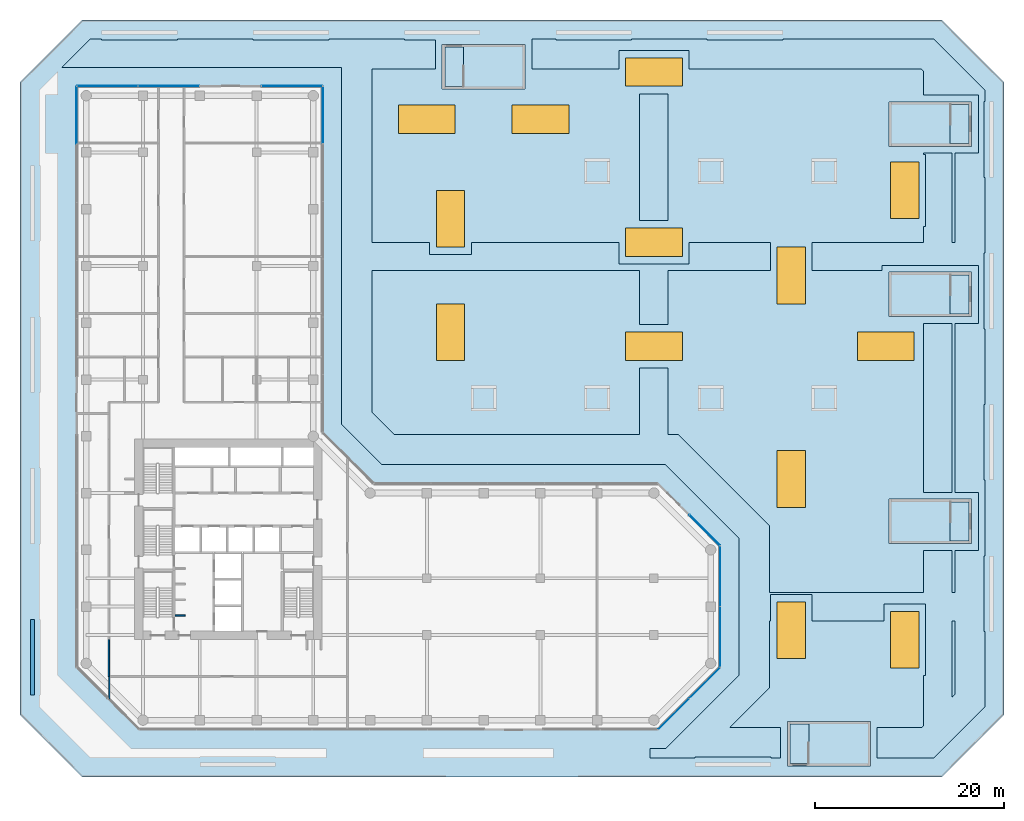
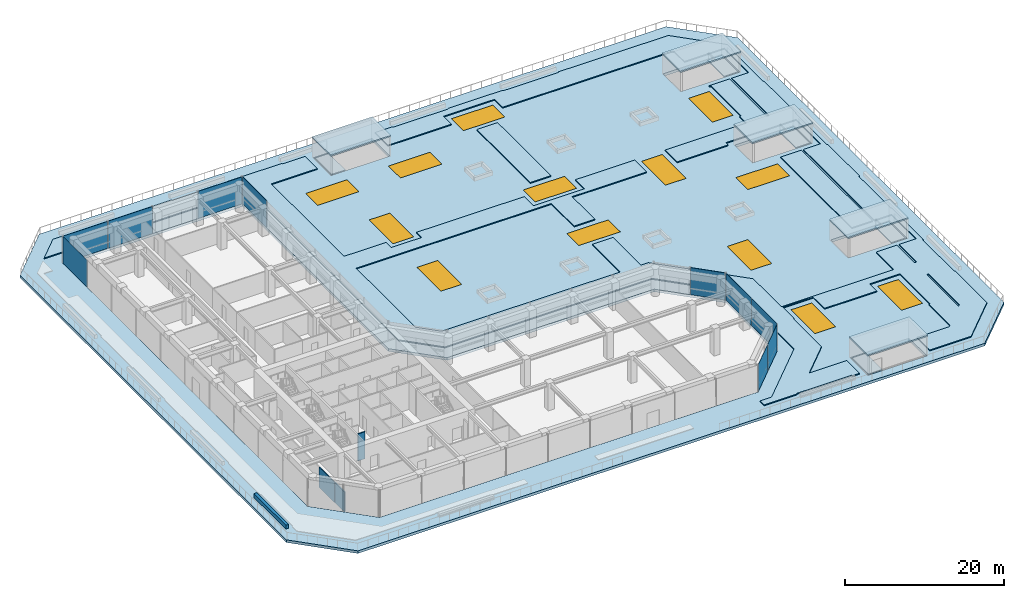
# One storey, part 23 of 31: 14 slabs, 13 windows, 10 plates, 4 walls, 13 openings, 7 elements without a shape of their own.
"""IFC4 building model written with IfcOpenShell, lengths in metres."""

from ifc_helpers import new_model, si_unit, direction, frame, frame_2d, origin, origin_2d, place, context, subcontext, project, spatial, polyline, rectangle, outline, extrude, material, layer, layer_set, type_object, element, fill, aggregate, save


model = new_model("IFC4")

# Units and contexts
model_context = context("Model", 3, precision=1e-05, world=origin(), true_north=direction((0.0, 1.0)))
body_context = subcontext(model_context, "Body", "Model", "MODEL_VIEW")
ifc_project = project(units=[si_unit("LENGTHUNIT", "METRE"), si_unit("AREAUNIT", "SQUARE_METRE"), si_unit("VOLUMEUNIT", "CUBIC_METRE"), si_unit("PLANEANGLEUNIT", "RADIAN"), si_unit("MASSUNIT", "GRAM", prefix="KILO")], contexts=[model_context])

# Site, building, storey
site_placement = place(None, origin())
site = spatial("IfcSite", under=ifc_project, at=site_placement, CompositionType="ELEMENT")
building_placement = place(site_placement, origin())
building = spatial("IfcBuilding", under=site, at=building_placement, Name="Welwitschia Terrace Campus", CompositionType="ELEMENT")
storey_placement = place(building_placement, frame((0.0, 0.0, 11.0)))
storey = spatial("IfcBuildingStorey", under=building, at=storey_placement, Name="L02", CompositionType="ELEMENT", Elevation=11.0)

# Slab, openings, windows
ifc_material_1 = material(Name="Concrete C40/50", Category="concrete")
ifc_layer_1 = layer(ifc_material_1, 0.39990234375)
ifc_layer_set_1 = layer_set([ifc_layer_1], Name="Concrete C40/50")
slab_type_1 = type_object("IfcSlabType", Name="Garden deck slab 400", PredefinedType="FLOOR", material=ifc_layer_set_1)
slab_1_placement = place(storey_placement, frame((0.0, 0.0, -0.39990234375)))
slab_1 = element("IfcSlab", 1, at=slab_1_placement, inside=storey, type_object=slab_type_1, Name="Garden deck slab", PredefinedType="FLOOR", context=body_context, shape_type="SweptSolid", body=[
    extrude(outline(polyline([(-7.0, 63.414306640625), (-0.414306640625, 70.0), (90.414306640625, 70.0), (97.0, 63.414306640625), (97.0, -3.414306640625), (90.414306640625, -10.0), (-0.414306640625, -10.0), (-7.0, -3.414306640625), (-7.0, 63.414306640625)]), holes=[polyline([(60.414306640625, -5.0), (67.0, 1.585693359375), (67.0, 14.414306640625), (60.414306640625, 21.0), (30.414306640625, 21.0), (25.0, 26.414306640625), (25.0, 63.0), (-1.0, 63.0), (-1.0, 1.585693359375), (5.585693359375, -5.0), (60.414306640625, -5.0)]), polyline([(74.25, -4.27490234375), (74.25, -8.72509765625), (82.75, -8.72509765625), (82.75, -4.27490234375), (74.25, -4.27490234375)]), polyline([(84.949951171875, 19.22509765625), (84.949951171875, 14.77490234375), (93.449951171875, 14.77490234375), (93.449951171875, 19.22509765625), (84.949951171875, 19.22509765625)]), polyline([(84.949951171875, 43.22509765625), (84.949951171875, 38.77490234375), (93.449951171875, 38.77490234375), (93.449951171875, 43.22509765625), (84.949951171875, 43.22509765625)]), polyline([(93.449951171875, 61.22509765625), (84.949951171875, 61.22509765625), (84.949951171875, 56.77490234375), (93.449951171875, 56.77490234375), (93.449951171875, 61.22509765625)]), polyline([(46.25, 67.27490234375), (37.75, 67.27490234375), (37.75, 62.824951171875), (46.25, 62.824951171875), (46.25, 67.27490234375)])]), origin(), (0.0, 0.0, 1.0), 0.39990234375),
])
opening_1_placement = place(slab_1_placement, frame((86.5, 4.5, 0.0)))
opening_1 = element("IfcOpeningElement", 2, at=opening_1_placement, cuts=slab_1, Name="Opening SK1", PredefinedType="OPENING", context=body_context, shape_type="SweptSolid", body=[
    extrude(rectangle(XDim=3.0, YDim=6.0, at=origin_2d()), frame((0.0, 0.0, -0.010009765625)), (0.0, 0.0, 1.0), 0.419921875),
])
opening_2_placement = place(slab_1_placement, frame((74.5, 5.5, 0.0)))
opening_2 = element("IfcOpeningElement", 3, at=opening_2_placement, cuts=slab_1, Name="Opening SK1", PredefinedType="OPENING", context=body_context, shape_type="SweptSolid", body=[
    extrude(rectangle(XDim=3.0, YDim=6.0, at=origin_2d()), frame((0.0, 0.0, -0.010009765625)), (0.0, 0.0, 1.0), 0.419921875),
])
opening_3_placement = place(slab_1_placement, frame((74.5, 21.5, 0.0)))
opening_3 = element("IfcOpeningElement", 4, at=opening_3_placement, cuts=slab_1, Name="Opening SK1", PredefinedType="OPENING", context=body_context, shape_type="SweptSolid", body=[
    extrude(rectangle(XDim=3.0, YDim=6.0, at=origin_2d()), frame((0.0, 0.0, -0.010009765625)), (0.0, 0.0, 1.0), 0.419921875),
])
opening_4_placement = place(slab_1_placement, frame((60.0, 35.5, 0.0)))
opening_4 = element("IfcOpeningElement", 5, at=opening_4_placement, cuts=slab_1, Name="Opening SK1", PredefinedType="OPENING", context=body_context, shape_type="SweptSolid", body=[
    extrude(rectangle(XDim=6.0, YDim=3.0, at=origin_2d()), frame((0.0, 0.0, -0.010009765625)), (0.0, 0.0, 1.0), 0.419921875),
])
opening_5_placement = place(slab_1_placement, frame((84.5, 35.5, 0.0)))
opening_5 = element("IfcOpeningElement", 6, at=opening_5_placement, cuts=slab_1, Name="Opening SK1", PredefinedType="OPENING", context=body_context, shape_type="SweptSolid", body=[
    extrude(rectangle(XDim=6.0, YDim=3.0, at=origin_2d()), frame((0.0, 0.0, -0.010009765625)), (0.0, 0.0, 1.0), 0.419921875),
])
opening_6_placement = place(slab_1_placement, frame((38.5, 37.0, 0.0)))
opening_6 = element("IfcOpeningElement", 7, at=opening_6_placement, cuts=slab_1, Name="Opening SK1", PredefinedType="OPENING", context=body_context, shape_type="SweptSolid", body=[
    extrude(rectangle(XDim=3.0, YDim=6.0, at=origin_2d()), frame((0.0, 0.0, -0.010009765625)), (0.0, 0.0, 1.0), 0.419921875),
])
opening_7_placement = place(slab_1_placement, frame((74.5, 43.0, 0.0)))
opening_7 = element("IfcOpeningElement", 8, at=opening_7_placement, cuts=slab_1, Name="Opening SK1", PredefinedType="OPENING", context=body_context, shape_type="SweptSolid", body=[
    extrude(rectangle(XDim=3.0, YDim=6.0, at=origin_2d()), frame((0.0, 0.0, -0.010009765625)), (0.0, 0.0, 1.0), 0.419921875),
])
opening_8_placement = place(slab_1_placement, frame((60.0, 46.5, 0.0)))
opening_8 = element("IfcOpeningElement", 9, at=opening_8_placement, cuts=slab_1, Name="Opening SK1", PredefinedType="OPENING", context=body_context, shape_type="SweptSolid", body=[
    extrude(rectangle(XDim=6.0, YDim=3.0, at=origin_2d()), frame((0.0, 0.0, -0.010009765625)), (0.0, 0.0, 1.0), 0.419921875),
])
opening_9_placement = place(slab_1_placement, frame((38.5, 49.0, 0.0)))
opening_9 = element("IfcOpeningElement", 10, at=opening_9_placement, cuts=slab_1, Name="Opening SK1", PredefinedType="OPENING", context=body_context, shape_type="SweptSolid", body=[
    extrude(rectangle(XDim=3.0, YDim=6.0, at=origin_2d()), frame((0.0, 0.0, -0.010009765625)), (0.0, 0.0, 1.0), 0.419921875),
])
opening_10_placement = place(slab_1_placement, frame((86.5, 52.0, 0.0)))
opening_10 = element("IfcOpeningElement", 11, at=opening_10_placement, cuts=slab_1, Name="Opening SK1", PredefinedType="OPENING", context=body_context, shape_type="SweptSolid", body=[
    extrude(rectangle(XDim=3.0, YDim=6.0, at=origin_2d()), frame((0.0, 0.0, -0.010009765625)), (0.0, 0.0, 1.0), 0.419921875),
])
opening_11_placement = place(slab_1_placement, frame((36.0, 59.5, 0.0)))
opening_11 = element("IfcOpeningElement", 12, at=opening_11_placement, cuts=slab_1, Name="Opening SK1", PredefinedType="OPENING", context=body_context, shape_type="SweptSolid", body=[
    extrude(rectangle(XDim=6.0, YDim=3.0, at=origin_2d()), frame((0.0, 0.0, -0.010009765625)), (0.0, 0.0, 1.0), 0.419921875),
])
opening_12_placement = place(slab_1_placement, frame((48.0, 59.5, 0.0)))
opening_12 = element("IfcOpeningElement", 13, at=opening_12_placement, cuts=slab_1, Name="Opening SK1", PredefinedType="OPENING", context=body_context, shape_type="SweptSolid", body=[
    extrude(rectangle(XDim=6.0, YDim=3.0, at=origin_2d()), frame((0.0, 0.0, -0.010009765625)), (0.0, 0.0, 1.0), 0.419921875),
])
opening_13_placement = place(slab_1_placement, frame((60.0, 64.5, 0.0)))
opening_13 = element("IfcOpeningElement", 14, at=opening_13_placement, cuts=slab_1, Name="Opening SK1", PredefinedType="OPENING", context=body_context, shape_type="SweptSolid", body=[
    extrude(rectangle(XDim=6.0, YDim=3.0, at=origin_2d()), frame((0.0, 0.0, -0.010009765625)), (0.0, 0.0, 1.0), 0.419921875),
])
ifc_material_2 = material(Name="Tinted bronze-grey glass", Category="glass")
window_type = type_object("IfcWindowType", Name="Rooflight 3000x6000", PartitioningType="SINGLE_PANEL", PredefinedType="SKYLIGHT", material=ifc_material_2)
window_1_placement = place(opening_1_placement, frame((0.0, 0.0, 0.349853515625)))
window_1 = element("IfcWindow", 15, at=window_1_placement, inside=storey, type_object=window_type, Name="Rooflight 1", OverallHeight=6.0, OverallWidth=3.0, PartitioningType="SINGLE_PANEL", PredefinedType="SKYLIGHT", context=body_context, shape_type="SweptSolid", body=[
    extrude(rectangle(XDim=3.0, YDim=6.0, at=origin_2d()), origin(), (0.0, 0.0, 1.0), 0.050048828125),
])
fill(opening_1, window_1)
window_2_placement = place(opening_2_placement, frame((0.0, 0.0, 0.349853515625)))
window_2 = element("IfcWindow", 16, at=window_2_placement, inside=storey, type_object=window_type, Name="Rooflight 2", OverallHeight=6.0, OverallWidth=3.0, PartitioningType="SINGLE_PANEL", PredefinedType="SKYLIGHT", context=body_context, shape_type="SweptSolid", body=[
    extrude(rectangle(XDim=3.0, YDim=6.0, at=origin_2d()), origin(), (0.0, 0.0, 1.0), 0.050048828125),
])
fill(opening_2, window_2)
window_3_placement = place(opening_3_placement, frame((0.0, 0.0, 0.349853515625)))
window_3 = element("IfcWindow", 17, at=window_3_placement, inside=storey, type_object=window_type, Name="Rooflight 3", OverallHeight=6.0, OverallWidth=3.0, PartitioningType="SINGLE_PANEL", PredefinedType="SKYLIGHT", context=body_context, shape_type="SweptSolid", body=[
    extrude(rectangle(XDim=3.0, YDim=6.0, at=origin_2d()), origin(), (0.0, 0.0, 1.0), 0.050048828125),
])
fill(opening_3, window_3)
window_4_placement = place(opening_4_placement, frame((0.0, 0.0, 0.349853515625)))
window_4 = element("IfcWindow", 18, at=window_4_placement, inside=storey, type_object=window_type, Name="Rooflight 4", OverallHeight=3.0, OverallWidth=6.0, PartitioningType="SINGLE_PANEL", PredefinedType="SKYLIGHT", context=body_context, shape_type="SweptSolid", body=[
    extrude(rectangle(XDim=6.0, YDim=3.0, at=origin_2d()), origin(), (0.0, 0.0, 1.0), 0.050048828125),
])
fill(opening_4, window_4)
window_5_placement = place(opening_5_placement, frame((0.0, 0.0, 0.349853515625)))
window_5 = element("IfcWindow", 19, at=window_5_placement, inside=storey, type_object=window_type, Name="Rooflight 5", OverallHeight=3.0, OverallWidth=6.0, PartitioningType="SINGLE_PANEL", PredefinedType="SKYLIGHT", context=body_context, shape_type="SweptSolid", body=[
    extrude(rectangle(XDim=6.0, YDim=3.0, at=origin_2d()), origin(), (0.0, 0.0, 1.0), 0.050048828125),
])
fill(opening_5, window_5)
window_6_placement = place(opening_6_placement, frame((0.0, 0.0, 0.349853515625)))
window_6 = element("IfcWindow", 20, at=window_6_placement, inside=storey, type_object=window_type, Name="Rooflight 6", OverallHeight=6.0, OverallWidth=3.0, PartitioningType="SINGLE_PANEL", PredefinedType="SKYLIGHT", context=body_context, shape_type="SweptSolid", body=[
    extrude(rectangle(XDim=3.0, YDim=6.0, at=origin_2d()), origin(), (0.0, 0.0, 1.0), 0.050048828125),
])
fill(opening_6, window_6)
window_7_placement = place(opening_7_placement, frame((0.0, 0.0, 0.349853515625)))
window_7 = element("IfcWindow", 21, at=window_7_placement, inside=storey, type_object=window_type, Name="Rooflight 7", OverallHeight=6.0, OverallWidth=3.0, PartitioningType="SINGLE_PANEL", PredefinedType="SKYLIGHT", context=body_context, shape_type="SweptSolid", body=[
    extrude(rectangle(XDim=3.0, YDim=6.0, at=origin_2d()), origin(), (0.0, 0.0, 1.0), 0.050048828125),
])
fill(opening_7, window_7)
window_8_placement = place(opening_8_placement, frame((0.0, 0.0, 0.349853515625)))
window_8 = element("IfcWindow", 22, at=window_8_placement, inside=storey, type_object=window_type, Name="Rooflight 8", OverallHeight=3.0, OverallWidth=6.0, PartitioningType="SINGLE_PANEL", PredefinedType="SKYLIGHT", context=body_context, shape_type="SweptSolid", body=[
    extrude(rectangle(XDim=6.0, YDim=3.0, at=origin_2d()), origin(), (0.0, 0.0, 1.0), 0.050048828125),
])
fill(opening_8, window_8)
window_9_placement = place(opening_9_placement, frame((0.0, 0.0, 0.349853515625)))
window_9 = element("IfcWindow", 23, at=window_9_placement, inside=storey, type_object=window_type, Name="Rooflight 9", OverallHeight=6.0, OverallWidth=3.0, PartitioningType="SINGLE_PANEL", PredefinedType="SKYLIGHT", context=body_context, shape_type="SweptSolid", body=[
    extrude(rectangle(XDim=3.0, YDim=6.0, at=origin_2d()), origin(), (0.0, 0.0, 1.0), 0.050048828125),
])
fill(opening_9, window_9)
window_10_placement = place(opening_10_placement, frame((0.0, 0.0, 0.349853515625)))
window_10 = element("IfcWindow", 24, at=window_10_placement, inside=storey, type_object=window_type, Name="Rooflight 10", OverallHeight=6.0, OverallWidth=3.0, PartitioningType="SINGLE_PANEL", PredefinedType="SKYLIGHT", context=body_context, shape_type="SweptSolid", body=[
    extrude(rectangle(XDim=3.0, YDim=6.0, at=origin_2d()), origin(), (0.0, 0.0, 1.0), 0.050048828125),
])
fill(opening_10, window_10)
window_11_placement = place(opening_11_placement, frame((0.0, 0.0, 0.349853515625)))
window_11 = element("IfcWindow", 25, at=window_11_placement, inside=storey, type_object=window_type, Name="Rooflight 11", OverallHeight=3.0, OverallWidth=6.0, PartitioningType="SINGLE_PANEL", PredefinedType="SKYLIGHT", context=body_context, shape_type="SweptSolid", body=[
    extrude(rectangle(XDim=6.0, YDim=3.0, at=origin_2d()), origin(), (0.0, 0.0, 1.0), 0.050048828125),
])
fill(opening_11, window_11)
window_12_placement = place(opening_12_placement, frame((0.0, 0.0, 0.349853515625)))
window_12 = element("IfcWindow", 26, at=window_12_placement, inside=storey, type_object=window_type, Name="Rooflight 12", OverallHeight=3.0, OverallWidth=6.0, PartitioningType="SINGLE_PANEL", PredefinedType="SKYLIGHT", context=body_context, shape_type="SweptSolid", body=[
    extrude(rectangle(XDim=6.0, YDim=3.0, at=origin_2d()), origin(), (0.0, 0.0, 1.0), 0.050048828125),
])
fill(opening_12, window_12)
window_13_placement = place(opening_13_placement, frame((0.0, 0.0, 0.349853515625)))
window_13 = element("IfcWindow", 27, at=window_13_placement, inside=storey, type_object=window_type, Name="Rooflight 13", OverallHeight=3.0, OverallWidth=6.0, PartitioningType="SINGLE_PANEL", PredefinedType="SKYLIGHT", context=body_context, shape_type="SweptSolid", body=[
    extrude(rectangle(XDim=6.0, YDim=3.0, at=origin_2d()), origin(), (0.0, 0.0, 1.0), 0.050048828125),
])
fill(opening_13, window_13)

# Curtain wall, plates
ifc_material_3 = material(Name="Bronze anodised aluminium", Category="aluminium")
ifc_layer_2 = layer(ifc_material_3, 0.1201171875)
ifc_layer_set_2 = layer_set([ifc_layer_2], Name="Bronze anodised aluminium")
curtain_wall_type = type_object("IfcCurtainWallType", Name="Curtain wall CW2 tower 6000", PredefinedType="NOTDEFINED", material=ifc_layer_set_2)
curtain_wall_1_placement = place(storey_placement, origin())
curtain_wall_1 = element("IfcCurtainWall", 28, at=curtain_wall_1_placement, inside=storey, type_object=curtain_wall_type, Name="CW L02.2.0", PredefinedType="NOTDEFINED")
ifc_material_4 = material(Name="Tinted bronze-grey glass", Category="glass")
ifc_layer_3 = layer(ifc_material_4, 0.028076171875)
ifc_layer_set_3 = layer_set([ifc_layer_3], Name="Tinted bronze-grey glass")
plate_type = type_object("IfcPlateType", Name="Glass panel 28 tinted", PredefinedType="CURTAIN_PANEL", material=ifc_layer_set_3)
plate_1_placement = place(storey_placement, frame((62.08251953125, -3.360107421875, 0.0), z_axis=(0.0, 0.0, 1.0), x_axis=(0.707106781187, 0.707106781187, 0.0)))
plate_1 = element("IfcPlate", 29, at=plate_1_placement, type_object=plate_type, Name="Panel L02.2.0.0", PredefinedType="CURTAIN_PANEL", context=body_context, shape_type="SweptSolid", body=[
    extrude(rectangle(XDim=4.5751953125, YDim=0.028076171875, at=origin_2d()), origin(), (0.0, 0.0, 1.0), 4.14990234375),
])
plate_2_placement = place(storey_placement, frame((65.360107421875, -0.08251953125, 0.0), z_axis=(0.0, 0.0, 1.0), x_axis=(0.707106781187, 0.707106781187, 0.0)))
plate_2 = element("IfcPlate", 30, at=plate_2_placement, type_object=plate_type, Name="Panel L02.2.0.1", PredefinedType="CURTAIN_PANEL", context=body_context, shape_type="SweptSolid", body=[
    extrude(rectangle(XDim=4.5751953125, YDim=0.028076171875, at=origin_2d()), origin(), (0.0, 0.0, 1.0), 4.14990234375),
])
aggregate(curtain_wall_1, [plate_1, plate_2])

curtain_wall_2_placement = place(storey_placement, origin())
curtain_wall_2 = element("IfcCurtainWall", 31, at=curtain_wall_2_placement, inside=storey, type_object=curtain_wall_type, Name="CW L02.3.0", PredefinedType="NOTDEFINED")
plate_3_placement = place(storey_placement, frame((67.02001953125, 4.8037109375, 0.0), z_axis=(0.0, 0.0, 1.0), x_axis=(0.0, 1.0, 0.0)))
plate_3 = element("IfcPlate", 32, at=plate_3_placement, type_object=plate_type, Name="Panel L02.3.0.0", PredefinedType="CURTAIN_PANEL", context=body_context, shape_type="SweptSolid", body=[
    extrude(rectangle(XDim=6.33251953125, YDim=0.028076171875, at=origin_2d()), origin(), (0.0, 0.0, 1.0), 4.14990234375),
])
plate_4_placement = place(storey_placement, frame((67.02001953125, 11.1962890625, 0.0), z_axis=(0.0, 0.0, 1.0), x_axis=(0.0, 1.0, 0.0)))
plate_4 = element("IfcPlate", 33, at=plate_4_placement, type_object=plate_type, Name="Panel L02.3.0.1", PredefinedType="CURTAIN_PANEL", context=body_context, shape_type="SweptSolid", body=[
    extrude(rectangle(XDim=6.33251953125, YDim=0.028076171875, at=origin_2d()), origin(), (0.0, 0.0, 1.0), 4.14990234375),
])
aggregate(curtain_wall_2, [plate_3, plate_4])

# Curtain wall, plate
curtain_wall_3_placement = place(storey_placement, origin())
curtain_wall_3 = element("IfcCurtainWall", 34, at=curtain_wall_3_placement, inside=storey, type_object=curtain_wall_type, Name="CW L02.4.0", PredefinedType="NOTDEFINED")
plate_5_placement = place(storey_placement, frame((65.37060546875, 16.07177734375, 0.0), z_axis=(0.0, 0.0, 1.0), x_axis=(-0.707106781187, 0.707106781187, 0.0)))
plate_5 = element("IfcPlate", 35, at=plate_5_placement, type_object=plate_type, Name="Panel L02.4.0.0", PredefinedType="CURTAIN_PANEL", context=body_context, shape_type="SweptSolid", body=[
    extrude(rectangle(XDim=4.545166015625, YDim=0.028076171875, at=origin_2d()), origin(), (0.0, 0.0, 1.0), 4.14990234375),
])
aggregate(curtain_wall_3, [plate_5])

curtain_wall_4_placement = place(storey_placement, origin())
curtain_wall_4 = element("IfcCurtainWall", 36, at=curtain_wall_4_placement, inside=storey, type_object=curtain_wall_type, Name="CW L02.7.0", PredefinedType="NOTDEFINED")
plate_6_placement = place(storey_placement, frame((25.02001953125, 59.955322265625, 0.0), z_axis=(0.0, 0.0, 1.0), x_axis=(0.0, 1.0, 0.0)))
plate_6 = element("IfcPlate", 37, at=plate_6_placement, type_object=plate_type, Name="Panel L02.7.0.5", PredefinedType="CURTAIN_PANEL", context=body_context, shape_type="SweptSolid", body=[
    extrude(rectangle(XDim=6.009521484375, YDim=0.028076171875, at=origin_2d()), origin(), (0.0, 0.0, 1.0), 4.14990234375),
])
aggregate(curtain_wall_4, [plate_6])

curtain_wall_5_placement = place(storey_placement, origin())
curtain_wall_5 = element("IfcCurtainWall", 38, at=curtain_wall_5_placement, inside=storey, type_object=curtain_wall_type, Name="CW L02.8.0", PredefinedType="NOTDEFINED")
plate_7_placement = place(storey_placement, frame((21.764892578125, 63.02001953125, 0.0), z_axis=(0.0, 0.0, 1.0), x_axis=(-1.0, 0.0, 0.0)))
plate_7 = element("IfcPlate", 39, at=plate_7_placement, type_object=plate_type, Name="Panel L02.8.0.0", PredefinedType="CURTAIN_PANEL", context=body_context, shape_type="SweptSolid", body=[
    extrude(rectangle(XDim=6.389892578125, YDim=0.028076171875, at=origin_2d()), origin(), (0.0, 0.0, 1.0), 4.14990234375),
])
aggregate(curtain_wall_5, [plate_7])

# Curtain wall, plates
curtain_wall_6_placement = place(storey_placement, origin())
curtain_wall_6 = element("IfcCurtainWall", 40, at=curtain_wall_6_placement, inside=storey, type_object=curtain_wall_type, Name="CW L02.8.2", PredefinedType="NOTDEFINED")
plate_8_placement = place(storey_placement, frame((8.72998046875, 63.02001953125, 0.0), z_axis=(0.0, 0.0, 1.0), x_axis=(-1.0, 0.0, 0.0)))
plate_8 = element("IfcPlate", 41, at=plate_8_placement, type_object=plate_type, Name="Panel L02.8.2.0", PredefinedType="CURTAIN_PANEL", context=body_context, shape_type="SweptSolid", body=[
    extrude(rectangle(XDim=6.419921875, YDim=0.028076171875, at=origin_2d()), origin(), (0.0, 0.0, 1.0), 4.14990234375),
])
plate_9_placement = place(storey_placement, frame((2.25, 63.02001953125, 0.0), z_axis=(0.0, 0.0, 1.0), x_axis=(-1.0, 0.0, 0.0)))
plate_9 = element("IfcPlate", 42, at=plate_9_placement, type_object=plate_type, Name="Panel L02.8.2.1", PredefinedType="CURTAIN_PANEL", context=body_context, shape_type="SweptSolid", body=[
    extrude(rectangle(XDim=6.419921875, YDim=0.028076171875, at=origin_2d()), origin(), (0.0, 0.0, 1.0), 4.14990234375),
])
aggregate(curtain_wall_6, [plate_8, plate_9])

# Curtain wall, plate
curtain_wall_7_placement = place(storey_placement, origin())
curtain_wall_7 = element("IfcCurtainWall", 43, at=curtain_wall_7_placement, inside=storey, type_object=curtain_wall_type, Name="CW L02.9.0", PredefinedType="NOTDEFINED")
plate_10_placement = place(storey_placement, frame((-1.02001953125, 59.932861328125, 0.0), z_axis=(0.0, 0.0, 1.0), x_axis=(0.0, -1.0, 0.0)))
plate_10 = element("IfcPlate", 44, at=plate_10_placement, type_object=plate_type, Name="Panel L02.9.0.0", PredefinedType="CURTAIN_PANEL", context=body_context, shape_type="SweptSolid", body=[
    extrude(rectangle(XDim=6.05419921875, YDim=0.028076171875, at=origin_2d()), origin(), (0.0, 0.0, 1.0), 4.14990234375),
])
aggregate(curtain_wall_7, [plate_10])

# Slabs
ifc_material_5 = material(Name="Concrete C40/50", Category="concrete")
ifc_layer_4 = layer(ifc_material_5, 0.199951171875)
ifc_layer_set_4 = layer_set([ifc_layer_4], Name="Concrete C40/50")
slab_type_2 = type_object("IfcSlabType", Name="Headhouse roof slab", PredefinedType="ROOF", material=ifc_layer_set_4)
slab_2_placement = place(storey_placement, frame((0.0, 0.0, 3.0)))
element("IfcSlab", 45, at=slab_2_placement, inside=storey, type_object=slab_type_2, Name="Head house roof", PredefinedType="ROOF", context=body_context, shape_type="SweptSolid", body=[
    extrude(outline(polyline([(84.824951171875, 56.64990234375), (93.574951171875, 56.64990234375), (93.574951171875, 61.35009765625), (84.824951171875, 61.35009765625), (84.824951171875, 56.64990234375)])), origin(), (0.0, 0.0, 1.0), 0.199951171875),
])
slab_3_placement = place(storey_placement, frame((0.0, 0.0, 3.0)))
element("IfcSlab", 46, at=slab_3_placement, inside=storey, type_object=slab_type_2, Name="Head house roof", PredefinedType="ROOF", context=body_context, shape_type="SweptSolid", body=[
    extrude(outline(polyline([(74.125, -8.85009765625), (82.875, -8.85009765625), (82.875, -4.14990234375), (74.125, -4.14990234375), (74.125, -8.85009765625)])), origin(), (0.0, 0.0, 1.0), 0.199951171875),
])
slab_4_placement = place(storey_placement, frame((0.0, 0.0, 3.0)))
element("IfcSlab", 47, at=slab_4_placement, inside=storey, type_object=slab_type_2, Name="Head house roof", PredefinedType="ROOF", context=body_context, shape_type="SweptSolid", body=[
    extrude(outline(polyline([(84.824951171875, 14.64990234375), (93.574951171875, 14.64990234375), (93.574951171875, 19.35009765625), (84.824951171875, 19.35009765625), (84.824951171875, 14.64990234375)])), origin(), (0.0, 0.0, 1.0), 0.199951171875),
])
slab_5_placement = place(storey_placement, frame((0.0, 0.0, 3.0)))
element("IfcSlab", 48, at=slab_5_placement, inside=storey, type_object=slab_type_2, Name="Head house roof", PredefinedType="ROOF", context=body_context, shape_type="SweptSolid", body=[
    extrude(outline(polyline([(37.625, 62.699951171875), (46.375, 62.699951171875), (46.375, 67.39990234375), (37.625, 67.39990234375), (37.625, 62.699951171875)])), origin(), (0.0, 0.0, 1.0), 0.199951171875),
])
slab_6_placement = place(storey_placement, frame((0.0, 0.0, 3.0)))
element("IfcSlab", 49, at=slab_6_placement, inside=storey, type_object=slab_type_2, Name="Head house roof", PredefinedType="ROOF", context=body_context, shape_type="SweptSolid", body=[
    extrude(outline(polyline([(84.824951171875, 38.64990234375), (93.574951171875, 38.64990234375), (93.574951171875, 43.35009765625), (84.824951171875, 43.35009765625), (84.824951171875, 38.64990234375)])), origin(), (0.0, 0.0, 1.0), 0.199951171875),
])
ifc_material_6 = material(Name="Concrete C30/37 paving", Category="concrete")
ifc_layer_5 = layer(ifc_material_6, 0.14990234375)
ifc_layer_set_5 = layer_set([ifc_layer_5], Name="Concrete C30/37 paving")
slab_type_3 = type_object("IfcSlabType", Name="Paving slab 150", PredefinedType="USERDEFINED", material=ifc_layer_set_5)
slab_7_placement = place(storey_placement, origin())
element("IfcSlab", 50, at=slab_7_placement, inside=storey, type_object=slab_type_3, Name="Deck paving", ObjectType="PAVING", PredefinedType="USERDEFINED", context=body_context, shape_type="SweptSolid", body=[
    extrude(outline(polyline([(61.24267578125, -7.0), (69.0, 0.75732421875), (69.0, 15.24267578125), (61.24267578125, 23.0), (31.24267578125, 23.0), (27.0, 27.24267578125), (27.0, 65.0), (-2.585693359375, 65.0), (0.414306640625, 68.0), (1.635498046875, 68.0), (1.635498046875, 67.8798828125), (9.635498046875, 67.8798828125), (9.635498046875, 68.0), (17.635498046875, 68.0), (17.635498046875, 67.8798828125), (25.635498046875, 67.8798828125), (25.635498046875, 68.0), (33.635498046875, 68.0), (33.635498046875, 67.8798828125), (36.89990234375, 67.8798828125), (36.89990234375, 64.800048828125), (30.199951171875, 64.800048828125), (30.199951171875, 46.5), (36.300048828125, 46.5), (36.300048828125, 45.199951171875), (40.699951171875, 45.199951171875), (40.699951171875, 46.5), (56.300048828125, 46.5), (56.300048828125, 44.199951171875), (63.699951171875, 44.199951171875), (63.699951171875, 46.5), (72.300048828125, 46.5), (72.300048828125, 43.5), (61.5, 43.5), (61.5, 37.800048828125), (58.5, 37.800048828125), (58.5, 43.5), (30.199951171875, 43.5), (30.199951171875, 28.568115234375), (32.568115234375, 26.199951171875), (58.5, 26.199951171875), (58.5, 33.199951171875), (61.5, 33.199951171875), (61.5, 26.199951171875), (62.568115234375, 26.199951171875), (72.199951171875, 16.568115234375), (72.199951171875, 9.5), (88.5, 9.5), (88.5, 13.925048828125), (91.5, 13.925048828125), (91.5, 9.5), (91.800048828125, 9.5), (91.800048828125, 13.925048828125), (94.300048828125, 13.925048828125), (94.300048828125, 20.074951171875), (91.800048828125, 20.074951171875), (91.800048828125, 37.925048828125), (94.300048828125, 37.925048828125), (94.300048828125, 44.074951171875), (84.10009765625, 44.074951171875), (84.10009765625, 43.5), (76.699951171875, 43.5), (76.699951171875, 46.5), (88.5, 46.5), (88.5, 48.199951171875), (88.699951171875, 48.199951171875), (88.699951171875, 55.800048828125), (88.5, 55.800048828125), (88.5, 55.925048828125), (91.5, 55.925048828125), (91.5, 46.5), (91.800048828125, 46.5), (91.800048828125, 55.925048828125), (94.300048828125, 55.925048828125), (94.300048828125, 62.074951171875), (88.5, 62.074951171875), (88.5, 64.560302734375), (88.26025390625, 64.800048828125), (63.699951171875, 64.800048828125), (63.699951171875, 66.800048828125), (56.300048828125, 66.800048828125), (56.300048828125, 64.800048828125), (47.10009765625, 64.800048828125), (47.10009765625, 68.0), (49.635498046875, 68.0), (49.635498046875, 67.8798828125), (57.635498046875, 67.8798828125), (57.635498046875, 68.0), (65.635498046875, 68.0), (65.635498046875, 67.8798828125), (73.635498046875, 67.8798828125), (73.635498046875, 68.0), (89.585693359375, 68.0), (95.0, 62.585693359375), (95.0, 61.364501953125), (94.8798828125, 61.364501953125), (94.8798828125, 53.364501953125), (95.0, 53.364501953125), (95.0, 45.364501953125), (94.8798828125, 45.364501953125), (94.8798828125, 37.364501953125), (95.0, 37.364501953125), (95.0, 29.364501953125), (94.8798828125, 29.364501953125), (94.8798828125, 21.364501953125), (95.0, 21.364501953125), (95.0, 13.364501953125), (94.8798828125, 13.364501953125), (94.8798828125, 5.364501953125), (95.0, 5.364501953125), (95.0, -2.585693359375), (89.585693359375, -8.0), (83.60009765625, -8.0), (83.60009765625, -4.800048828125), (88.26025390625, -4.800048828125), (88.5, -4.560302734375), (88.5, 0.699951171875), (88.699951171875, 0.699951171875), (88.699951171875, 8.300048828125), (84.300048828125, 8.300048828125), (84.300048828125, 6.5), (76.699951171875, 6.5), (76.699951171875, 9.300048828125), (72.300048828125, 9.300048828125), (72.300048828125, 6.5), (72.199951171875, 6.5), (72.199951171875, -0.568115234375), (67.968017578125, -4.800048828125), (73.39990234375, -4.800048828125), (73.39990234375, -8.0), (72.364501953125, -8.0), (72.364501953125, -7.8798828125), (64.364501953125, -7.8798828125), (64.364501953125, -8.0), (59.60009765625, -8.0), (59.60009765625, -7.0), (61.24267578125, -7.0)]), holes=[polyline([(91.800048828125, 6.5), (91.5, 6.5), (91.5, -1.560302734375), (91.800048828125, -1.26025390625), (91.800048828125, 6.5)])]), origin(), (0.0, 0.0, 1.0), 0.14990234375),
])
slab_8_placement = place(storey_placement, origin())
element("IfcSlab", 51, at=slab_8_placement, inside=storey, type_object=slab_type_3, Name="Deck paving", ObjectType="PAVING", PredefinedType="USERDEFINED", context=body_context, shape_type="SweptSolid", body=[
    extrude(outline(polyline([(91.5, 20.074951171875), (88.5, 20.074951171875), (88.5, 37.925048828125), (91.5, 37.925048828125), (91.5, 20.074951171875)])), origin(), (0.0, 0.0, 1.0), 0.14990234375),
])
slab_9_placement = place(storey_placement, origin())
element("IfcSlab", 52, at=slab_9_placement, inside=storey, type_object=slab_type_3, Name="Deck paving", ObjectType="PAVING", PredefinedType="USERDEFINED", context=body_context, shape_type="SweptSolid", body=[
    extrude(outline(polyline([(61.5, 48.800048828125), (58.5, 48.800048828125), (58.5, 62.199951171875), (61.5, 62.199951171875), (61.5, 48.800048828125)])), origin(), (0.0, 0.0, 1.0), 0.14990234375),
])
ifc_material_7 = material(Name="Concrete C40/50", Category="concrete")
ifc_layer_6 = layer(ifc_material_7, 0.199951171875)
ifc_layer_set_6 = layer_set([ifc_layer_6], Name="Concrete C40/50")
slab_type_4 = type_object("IfcSlabType", Name="Stair landing RC", PredefinedType="LANDING", material=ifc_layer_set_6)
slab_10_placement = place(storey_placement, frame((0.0, 0.0, -0.199951171875)))
element("IfcSlab", 53, at=slab_10_placement, inside=storey, type_object=slab_type_4, Name="Podium stair P3 top landing", PredefinedType="LANDING", context=body_context, shape_type="SweptSolid", body=[
    extrude(outline(polyline([(91.300048828125, 56.925048828125), (93.300048828125, 56.925048828125), (93.300048828125, 61.074951171875), (91.300048828125, 61.074951171875), (91.300048828125, 56.925048828125)])), origin(), (0.0, 0.0, 1.0), 0.199951171875),
])
slab_11_placement = place(storey_placement, frame((0.0, 0.0, -0.199951171875)))
element("IfcSlab", 54, at=slab_11_placement, inside=storey, type_object=slab_type_4, Name="Podium stair P5 top landing", PredefinedType="LANDING", context=body_context, shape_type="SweptSolid", body=[
    extrude(outline(polyline([(74.39990234375, -8.574951171875), (76.39990234375, -8.574951171875), (76.39990234375, -4.425048828125), (74.39990234375, -4.425048828125), (74.39990234375, -8.574951171875)])), origin(), (0.0, 0.0, 1.0), 0.199951171875),
])
slab_12_placement = place(storey_placement, frame((0.0, 0.0, -0.199951171875)))
element("IfcSlab", 55, at=slab_12_placement, inside=storey, type_object=slab_type_4, Name="Podium stair P6 top landing", PredefinedType="LANDING", context=body_context, shape_type="SweptSolid", body=[
    extrude(outline(polyline([(91.300048828125, 14.925048828125), (93.300048828125, 14.925048828125), (93.300048828125, 19.074951171875), (91.300048828125, 19.074951171875), (91.300048828125, 14.925048828125)])), origin(), (0.0, 0.0, 1.0), 0.199951171875),
])
slab_13_placement = place(storey_placement, frame((0.0, 0.0, -0.199951171875)))
element("IfcSlab", 56, at=slab_13_placement, inside=storey, type_object=slab_type_4, Name="Podium stair P7 top landing", PredefinedType="LANDING", context=body_context, shape_type="SweptSolid", body=[
    extrude(outline(polyline([(37.89990234375, 62.97509765625), (39.89990234375, 62.97509765625), (39.89990234375, 67.125), (37.89990234375, 67.125), (37.89990234375, 62.97509765625)])), origin(), (0.0, 0.0, 1.0), 0.199951171875),
])
slab_14_placement = place(storey_placement, frame((0.0, 0.0, -0.199951171875)))
element("IfcSlab", 57, at=slab_14_placement, inside=storey, type_object=slab_type_4, Name="Podium stair P8 top landing", PredefinedType="LANDING", context=body_context, shape_type="SweptSolid", body=[
    extrude(outline(polyline([(91.300048828125, 38.925048828125), (93.300048828125, 38.925048828125), (93.300048828125, 43.074951171875), (91.300048828125, 43.074951171875), (91.300048828125, 38.925048828125)])), origin(), (0.0, 0.0, 1.0), 0.199951171875),
])

# Walls
ifc_material_8 = material(Name="Concrete C50/60", Category="concrete")
ifc_layer_7 = layer(ifc_material_8, 0.14990234375)
ifc_layer_set_7 = layer_set([ifc_layer_7], Name="Concrete C50/60")
wall_type_1 = type_object("IfcWallType", Name="Core wall 150 Concrete C50/60", PredefinedType="SHEAR", material=ifc_layer_set_7)
wall_1_placement = place(storey_placement, frame((9.39990234375, 7.074951171875, 0.0), z_axis=(0.0, 0.0, 1.0), x_axis=(1.0, 0.0, 0.0)))
element("IfcWall", 58, at=wall_1_placement, inside=storey, type_object=wall_type_1, Name="Core wall", PredefinedType="SHEAR", context=body_context, shape_type="SweptSolid", body=[
    extrude(rectangle(XDim=1.050048828125, YDim=0.14990234375, at=frame_2d((0.52490234375, 0.0))), origin(), (0.0, 0.0, 1.0), 4.14990234375),
])
ifc_material_9 = material(Name="Gypsum board on steel studs", Category="steel")
ifc_layer_8 = layer(ifc_material_9, 0.14990234375)
ifc_layer_set_8 = layer_set([ifc_layer_8], Name="Gypsum board on steel studs")
wall_type_2 = type_object("IfcWallType", Name="Corridor partition 150 EI 30", PredefinedType="PARTITIONING", material=ifc_layer_set_8)
wall_2_placement = place(storey_placement, frame((2.39990234375, 0.60009765625, 0.0), z_axis=(0.0, 0.0, 1.0), x_axis=(0.0, 1.0, 0.0)))
element("IfcWall", 59, at=wall_2_placement, inside=storey, type_object=wall_type_2, Name="Partition", PredefinedType="PARTITIONING", context=body_context, shape_type="SweptSolid", body=[
    extrude(rectangle(XDim=3.89990234375, YDim=0.14990234375, at=frame_2d((1.949951171875, 0.0))), origin(), (0.0, 0.0, 1.0), 3.080078125),
])
wall_3_placement = place(storey_placement, frame((2.4296875, -1.77001953125, 0.0), z_axis=(0.0, 0.0, 1.0), x_axis=(0.0, 1.0, 0.0)))
element("IfcWall", 60, at=wall_3_placement, inside=storey, type_object=wall_type_2, Name="Partition", PredefinedType="PARTITIONING", context=body_context, shape_type="SweptSolid", body=[
    extrude(rectangle(XDim=2.3701171875, YDim=0.14990234375, at=frame_2d((1.18505859375, 0.0))), origin(), (0.0, 0.0, 1.0), 3.080078125),
])
ifc_material_10 = material(Name="Concrete C40/50", Category="concrete")
ifc_layer_9 = layer(ifc_material_10, 0.39990234375)
ifc_layer_set_9 = layer_set([ifc_layer_9], Name="Concrete C40/50")
wall_type_3 = type_object("IfcWallType", Name="Planter wall 400", PredefinedType="SOLIDWALL", material=ifc_layer_set_9)
wall_4_placement = place(storey_placement, frame((-5.679931640625, -1.364501953125, 0.0), z_axis=(0.0, 0.0, 1.0), x_axis=(0.0, 1.0, 0.0)))
element("IfcWall", 61, at=wall_4_placement, inside=storey, type_object=wall_type_3, Name="PLANTER", PredefinedType="SOLIDWALL", context=body_context, shape_type="SweptSolid", body=[
    extrude(rectangle(XDim=8.0, YDim=0.39990234375, at=frame_2d((4.0, 0.0))), origin(), (0.0, 0.0, 1.0), 0.60009765625),
])

save(model, "model.ifc")
